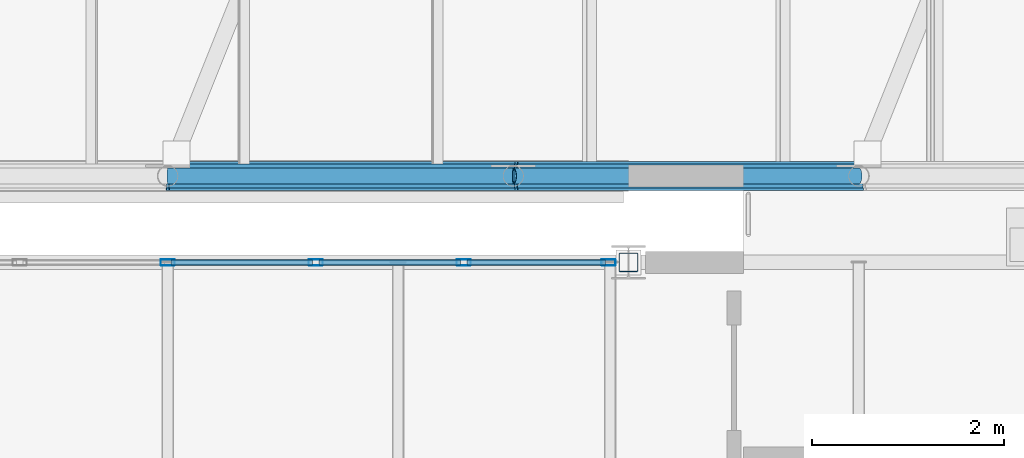
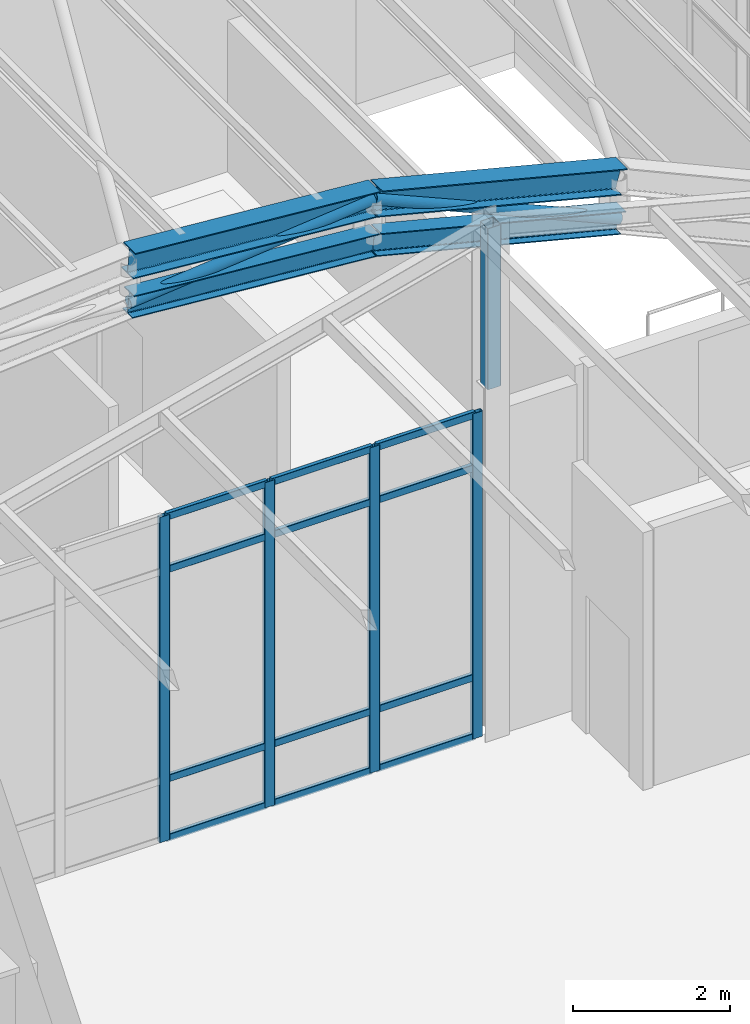
# One storey, part 20 of 121: 21 members, 2 beams, 1 element without a shape of its own.
"""IFC4 building model written with IfcOpenShell, lengths in metres."""

from ifc_helpers import new_model, si_unit, direction, frame, origin, origin_2d, place, context, subcontext, project, spatial, hollow_rectangle, hollow_circle, i_section, extrude, material, material_profile, profile_set, type_object, element, aggregate, save


model = new_model("IFC4")

# Units and contexts
model_context = context("Model", 3, precision=1e-05, world=origin(), true_north=direction((0.0, 1.0)))
body_context = subcontext(model_context, "Body", "Model", "MODEL_VIEW")
ifc_project = project(units=[si_unit("LENGTHUNIT", "METRE"), si_unit("AREAUNIT", "SQUARE_METRE"), si_unit("VOLUMEUNIT", "CUBIC_METRE"), si_unit("PLANEANGLEUNIT", "RADIAN"), si_unit("MASSUNIT", "GRAM", prefix="KILO")], contexts=[model_context])

# Site, building, storey
site_placement = place(None, origin())
site = spatial("IfcSite", under=ifc_project, at=site_placement, CompositionType="ELEMENT")
building_placement = place(site_placement, origin())
building = spatial("IfcBuilding", under=site, at=building_placement, Name="Canglan Escarpment Cableway Terminal", CompositionType="ELEMENT")
storey_placement = place(building_placement, frame((0.0, 0.0, 24.60009765625)))
storey = spatial("IfcBuildingStorey", under=building, at=storey_placement, Name="L05", CompositionType="ELEMENT", Elevation=24.60009765625)

# Beams
ifc_material_1 = material(Name="Steel Q355B", Category="steel")
ifc_material_profile_1 = material_profile(ifc_material_1, i_section(OverallWidth=0.300048828125, OverallDepth=0.389892578125, WebThickness=0.010009765625, FlangeThickness=0.01611328125, FilletRadius=0.02197265625, at=origin_2d()), Name="HM 390x300x10x16")
ifc_profile_set_1 = profile_set([ifc_material_profile_1], Name="Steel Q355B")
beam_type = type_object("IfcBeamType", Name="BM-ARCH-TOP-HM390", PredefinedType="BEAM", material=ifc_profile_set_1)
beam_1_placement = place(storey_placement, frame((152.0, 34.0, 8.449951171875), z_axis=(0.996622699984, 0.0, -0.082116952426), x_axis=(0.0, 1.0, 0.0)))
element("IfcBeam", 1, at=beam_1_placement, inside=storey, type_object=beam_type, Name="Vault ROOF TRUSS arch top chord AR-TC1", PredefinedType="BEAM", context=body_context, shape_type="SweptSolid", body=[
    extrude(i_section(OverallWidth=0.300048828125, OverallDepth=0.389892578125, WebThickness=0.010009765625, FlangeThickness=0.01611328125, FilletRadius=0.02197265625, at=origin_2d()), origin(), (0.0, 0.0, 1.0), 3.6123046875),
])
beam_2_placement = place(storey_placement, frame((155.60009765625, 34.0, 8.1533203125), z_axis=(0.969179969731, 0.0, -0.246353782743), x_axis=(0.0, 1.0, 0.0)))
element("IfcBeam", 2, at=beam_2_placement, inside=storey, type_object=beam_type, Name="Vault ROOF TRUSS arch top chord AR-TC1", PredefinedType="BEAM", context=body_context, shape_type="SweptSolid", body=[
    extrude(i_section(OverallWidth=0.300048828125, OverallDepth=0.389892578125, WebThickness=0.010009765625, FlangeThickness=0.01611328125, FilletRadius=0.02197265625, at=origin_2d()), origin(), (0.0, 0.0, 1.0), 3.71435546875),
])

# Curtain wall, members
ifc_material_2 = material(Name="Anodized bronze aluminium and Low-E double glazing", Category="aluminium")
curtain_wall_type = type_object("IfcCurtainWallType", Name="CW-BAY-9250x5050", PredefinedType="NOTDEFINED", material=ifc_material_2)
curtain_wall_placement = place(storey_placement, origin())
curtain_wall = element("IfcCurtainWall", 3, at=curtain_wall_placement, inside=storey, type_object=curtain_wall_type, Name="Classical bay-between-piers glazed curtain wall CW-40", PredefinedType="NOTDEFINED")
ifc_material_3 = material(Name="Thermally broken anodized aluminium 6063-T6", Category="aluminium")
ifc_material_profile_2 = material_profile(ifc_material_3, hollow_rectangle(XDim=0.06494140625, YDim=0.14990234375, WallThickness=0.00341796875, InnerFilletRadius=0.00341796875, OuterFilletRadius=0.007080078125, at=origin_2d()), Name="ALU-MULL 65x150x3.5")
ifc_profile_set_2 = profile_set([ifc_material_profile_2], Name="Thermally broken anodized aluminium 6063-T6")
member_type_1 = type_object("IfcMemberType", Name="CWM-02", PredefinedType="MULLION", material=ifc_profile_set_2)
member_1_placement = place(storey_placement, frame((156.592529296875, 33.10009765625, 0.0), z_axis=(0.0, 0.0, 1.0), x_axis=(0.0, -1.0, 0.0)))
member_1 = element("IfcMember", 4, at=member_1_placement, type_object=member_type_1, Name="CW-40 mullion 1", PredefinedType="MULLION", context=body_context, shape_type="SweptSolid", body=[
    extrude(hollow_rectangle(XDim=0.06494140625, YDim=0.14990234375, WallThickness=0.00341796875, InnerFilletRadius=0.00341796875, OuterFilletRadius=0.007080078125, at=origin_2d()), origin(), (0.0, 0.0, 1.0), 5.0498046875),
])
member_2_placement = place(storey_placement, frame((155.083251953125, 33.10009765625, 0.0), z_axis=(0.0, 0.0, 1.0), x_axis=(0.0, -1.0, 0.0)))
member_2 = element("IfcMember", 5, at=member_2_placement, type_object=member_type_1, Name="CW-40 mullion 2", PredefinedType="MULLION", context=body_context, shape_type="SweptSolid", body=[
    extrude(hollow_rectangle(XDim=0.06494140625, YDim=0.14990234375, WallThickness=0.00341796875, InnerFilletRadius=0.00341796875, OuterFilletRadius=0.007080078125, at=origin_2d()), origin(), (0.0, 0.0, 1.0), 5.0498046875),
])
member_3_placement = place(storey_placement, frame((153.541748046875, 33.10009765625, 0.0), z_axis=(0.0, 0.0, 1.0), x_axis=(0.0, -1.0, 0.0)))
member_3 = element("IfcMember", 6, at=member_3_placement, type_object=member_type_1, Name="CW-40 mullion 3", PredefinedType="MULLION", context=body_context, shape_type="SweptSolid", body=[
    extrude(hollow_rectangle(XDim=0.06494140625, YDim=0.14990234375, WallThickness=0.00341796875, InnerFilletRadius=0.00341796875, OuterFilletRadius=0.007080078125, at=origin_2d()), origin(), (0.0, 0.0, 1.0), 5.0498046875),
])
member_4_placement = place(storey_placement, frame((152.0, 33.10009765625, 0.0), z_axis=(0.0, 0.0, 1.0), x_axis=(0.0, -1.0, 0.0)))
member_4 = element("IfcMember", 7, at=member_4_placement, type_object=member_type_1, Name="CW-40 mullion 4", PredefinedType="MULLION", context=body_context, shape_type="SweptSolid", body=[
    extrude(hollow_rectangle(XDim=0.06494140625, YDim=0.14990234375, WallThickness=0.00341796875, InnerFilletRadius=0.00341796875, OuterFilletRadius=0.007080078125, at=origin_2d()), origin(), (0.0, 0.0, 1.0), 5.0498046875),
])
ifc_material_profile_3 = material_profile(ifc_material_3, hollow_rectangle(XDim=0.06005859375, YDim=0.110107421875, WallThickness=0.0029296875, InnerFilletRadius=0.0029296875, OuterFilletRadius=0.006103515625, at=origin_2d()), Name="ALU-TRAN 60x110x3")
ifc_profile_set_3 = profile_set([ifc_material_profile_3], Name="Thermally broken anodized aluminium 6063-T6")
member_type_2 = type_object("IfcMemberType", Name="CWT-02", PredefinedType="USERDEFINED", material=ifc_profile_set_3)
member_5_placement = place(storey_placement, frame((156.56005859375, 33.10009765625, 0.02978515625), z_axis=(-1.0, 0.0, 0.0), x_axis=(0.0, -1.0, 0.0)))
member_5 = element("IfcMember", 8, at=member_5_placement, type_object=member_type_2, Name="CW-40 transom 1.1", ObjectType="TRANSOM", PredefinedType="USERDEFINED", context=body_context, shape_type="SweptSolid", body=[
    extrude(hollow_rectangle(XDim=0.06005859375, YDim=0.110107421875, WallThickness=0.0029296875, InnerFilletRadius=0.0029296875, OuterFilletRadius=0.006103515625, at=origin_2d()), origin(), (0.0, 0.0, 1.0), 1.4443359375),
])
member_6_placement = place(storey_placement, frame((156.56005859375, 33.10009765625, 0.949951171875), z_axis=(-1.0, 0.0, 0.0), x_axis=(0.0, -1.0, 0.0)))
member_6 = element("IfcMember", 9, at=member_6_placement, type_object=member_type_2, Name="CW-40 transom 1.2", ObjectType="TRANSOM", PredefinedType="USERDEFINED", context=body_context, shape_type="SweptSolid", body=[
    extrude(hollow_rectangle(XDim=0.06005859375, YDim=0.110107421875, WallThickness=0.0029296875, InnerFilletRadius=0.0029296875, OuterFilletRadius=0.006103515625, at=origin_2d()), origin(), (0.0, 0.0, 1.0), 1.4443359375),
])
member_7_placement = place(storey_placement, frame((156.56005859375, 33.10009765625, 4.199951171875), z_axis=(-1.0, 0.0, 0.0), x_axis=(0.0, -1.0, 0.0)))
member_7 = element("IfcMember", 10, at=member_7_placement, type_object=member_type_2, Name="CW-40 transom 1.3", ObjectType="TRANSOM", PredefinedType="USERDEFINED", context=body_context, shape_type="SweptSolid", body=[
    extrude(hollow_rectangle(XDim=0.06005859375, YDim=0.110107421875, WallThickness=0.0029296875, InnerFilletRadius=0.0029296875, OuterFilletRadius=0.006103515625, at=origin_2d()), origin(), (0.0, 0.0, 1.0), 1.4443359375),
])
member_8_placement = place(storey_placement, frame((156.56005859375, 33.10009765625, 5.02001953125), z_axis=(-1.0, 0.0, 0.0), x_axis=(0.0, -1.0, 0.0)))
member_8 = element("IfcMember", 11, at=member_8_placement, type_object=member_type_2, Name="CW-40 transom 1.4", ObjectType="TRANSOM", PredefinedType="USERDEFINED", context=body_context, shape_type="SweptSolid", body=[
    extrude(hollow_rectangle(XDim=0.06005859375, YDim=0.110107421875, WallThickness=0.0029296875, InnerFilletRadius=0.0029296875, OuterFilletRadius=0.006103515625, at=origin_2d()), origin(), (0.0, 0.0, 1.0), 1.4443359375),
])
member_9_placement = place(storey_placement, frame((155.05078125, 33.10009765625, 0.02978515625), z_axis=(-1.0, 0.0, 0.0), x_axis=(0.0, -1.0, 0.0)))
member_9 = element("IfcMember", 12, at=member_9_placement, type_object=member_type_2, Name="CW-40 transom 2.1", ObjectType="TRANSOM", PredefinedType="USERDEFINED", context=body_context, shape_type="SweptSolid", body=[
    extrude(hollow_rectangle(XDim=0.06005859375, YDim=0.110107421875, WallThickness=0.0029296875, InnerFilletRadius=0.0029296875, OuterFilletRadius=0.006103515625, at=origin_2d()), origin(), (0.0, 0.0, 1.0), 1.4765625),
])
member_10_placement = place(storey_placement, frame((155.05078125, 33.10009765625, 0.949951171875), z_axis=(-1.0, 0.0, 0.0), x_axis=(0.0, -1.0, 0.0)))
member_10 = element("IfcMember", 13, at=member_10_placement, type_object=member_type_2, Name="CW-40 transom 2.2", ObjectType="TRANSOM", PredefinedType="USERDEFINED", context=body_context, shape_type="SweptSolid", body=[
    extrude(hollow_rectangle(XDim=0.06005859375, YDim=0.110107421875, WallThickness=0.0029296875, InnerFilletRadius=0.0029296875, OuterFilletRadius=0.006103515625, at=origin_2d()), origin(), (0.0, 0.0, 1.0), 1.4765625),
])
member_11_placement = place(storey_placement, frame((155.05078125, 33.10009765625, 4.199951171875), z_axis=(-1.0, 0.0, 0.0), x_axis=(0.0, -1.0, 0.0)))
member_11 = element("IfcMember", 14, at=member_11_placement, type_object=member_type_2, Name="CW-40 transom 2.3", ObjectType="TRANSOM", PredefinedType="USERDEFINED", context=body_context, shape_type="SweptSolid", body=[
    extrude(hollow_rectangle(XDim=0.06005859375, YDim=0.110107421875, WallThickness=0.0029296875, InnerFilletRadius=0.0029296875, OuterFilletRadius=0.006103515625, at=origin_2d()), origin(), (0.0, 0.0, 1.0), 1.4765625),
])
member_12_placement = place(storey_placement, frame((155.05078125, 33.10009765625, 5.02001953125), z_axis=(-1.0, 0.0, 0.0), x_axis=(0.0, -1.0, 0.0)))
member_12 = element("IfcMember", 15, at=member_12_placement, type_object=member_type_2, Name="CW-40 transom 2.4", ObjectType="TRANSOM", PredefinedType="USERDEFINED", context=body_context, shape_type="SweptSolid", body=[
    extrude(hollow_rectangle(XDim=0.06005859375, YDim=0.110107421875, WallThickness=0.0029296875, InnerFilletRadius=0.0029296875, OuterFilletRadius=0.006103515625, at=origin_2d()), origin(), (0.0, 0.0, 1.0), 1.4765625),
])
member_13_placement = place(storey_placement, frame((153.50927734375, 33.10009765625, 0.02978515625), z_axis=(-1.0, 0.0, 0.0), x_axis=(0.0, -1.0, 0.0)))
member_13 = element("IfcMember", 16, at=member_13_placement, type_object=member_type_2, Name="CW-40 transom 3.1", ObjectType="TRANSOM", PredefinedType="USERDEFINED", context=body_context, shape_type="SweptSolid", body=[
    extrude(hollow_rectangle(XDim=0.06005859375, YDim=0.110107421875, WallThickness=0.0029296875, InnerFilletRadius=0.0029296875, OuterFilletRadius=0.006103515625, at=origin_2d()), origin(), (0.0, 0.0, 1.0), 1.476806640625),
])
member_14_placement = place(storey_placement, frame((153.50927734375, 33.10009765625, 0.949951171875), z_axis=(-1.0, 0.0, 0.0), x_axis=(0.0, -1.0, 0.0)))
member_14 = element("IfcMember", 17, at=member_14_placement, type_object=member_type_2, Name="CW-40 transom 3.2", ObjectType="TRANSOM", PredefinedType="USERDEFINED", context=body_context, shape_type="SweptSolid", body=[
    extrude(hollow_rectangle(XDim=0.06005859375, YDim=0.110107421875, WallThickness=0.0029296875, InnerFilletRadius=0.0029296875, OuterFilletRadius=0.006103515625, at=origin_2d()), origin(), (0.0, 0.0, 1.0), 1.476806640625),
])
member_15_placement = place(storey_placement, frame((153.50927734375, 33.10009765625, 4.199951171875), z_axis=(-1.0, 0.0, 0.0), x_axis=(0.0, -1.0, 0.0)))
member_15 = element("IfcMember", 18, at=member_15_placement, type_object=member_type_2, Name="CW-40 transom 3.3", ObjectType="TRANSOM", PredefinedType="USERDEFINED", context=body_context, shape_type="SweptSolid", body=[
    extrude(hollow_rectangle(XDim=0.06005859375, YDim=0.110107421875, WallThickness=0.0029296875, InnerFilletRadius=0.0029296875, OuterFilletRadius=0.006103515625, at=origin_2d()), origin(), (0.0, 0.0, 1.0), 1.476806640625),
])
member_16_placement = place(storey_placement, frame((153.50927734375, 33.10009765625, 5.02001953125), z_axis=(-1.0, 0.0, 0.0), x_axis=(0.0, -1.0, 0.0)))
member_16 = element("IfcMember", 19, at=member_16_placement, type_object=member_type_2, Name="CW-40 transom 3.4", ObjectType="TRANSOM", PredefinedType="USERDEFINED", context=body_context, shape_type="SweptSolid", body=[
    extrude(hollow_rectangle(XDim=0.06005859375, YDim=0.110107421875, WallThickness=0.0029296875, InnerFilletRadius=0.0029296875, OuterFilletRadius=0.006103515625, at=origin_2d()), origin(), (0.0, 0.0, 1.0), 1.476806640625),
])
aggregate(curtain_wall, [member_1, member_2, member_3, member_4, member_5, member_6, member_7, member_8, member_9, member_10, member_11, member_12, member_13, member_14, member_15, member_16])

# Members
ifc_material_profile_4 = material_profile(ifc_material_1, i_section(OverallWidth=0.25, OverallDepth=0.340087890625, WebThickness=0.009033203125, FlangeThickness=0.013916015625, FilletRadius=0.02001953125, at=origin_2d()), Name="HM 340x250x9x14")
ifc_profile_set_4 = profile_set([ifc_material_profile_4], Name="Steel Q355B")
member_type_3 = type_object("IfcMemberType", Name="MB-ARCH-BOT-HM340", PredefinedType="CHORD", material=ifc_profile_set_4)
member_17_placement = place(storey_placement, frame((152.0, 34.0, 7.7998046875), z_axis=(0.996628228964, 0.0, -0.082049821644), x_axis=(0.0, 1.0, 0.0)))
element("IfcMember", 20, at=member_17_placement, inside=storey, type_object=member_type_3, Name="Vault ROOF TRUSS arch bottom chord AR-BC1", PredefinedType="CHORD", context=body_context, shape_type="SweptSolid", body=[
    extrude(i_section(OverallWidth=0.25, OverallDepth=0.340087890625, WebThickness=0.009033203125, FlangeThickness=0.013916015625, FilletRadius=0.02001953125, at=origin_2d()), origin(), (0.0, 0.0, 1.0), 3.6123046875),
])
member_18_placement = place(storey_placement, frame((155.60009765625, 34.0, 7.50341796875), z_axis=(0.969179969731, 0.0, -0.246353782743), x_axis=(0.0, 1.0, 0.0)))
element("IfcMember", 21, at=member_18_placement, inside=storey, type_object=member_type_3, Name="Vault ROOF TRUSS arch bottom chord AR-BC1", PredefinedType="CHORD", context=body_context, shape_type="SweptSolid", body=[
    extrude(i_section(OverallWidth=0.25, OverallDepth=0.340087890625, WebThickness=0.009033203125, FlangeThickness=0.013916015625, FilletRadius=0.02001953125, at=origin_2d()), origin(), (0.0, 0.0, 1.0), 3.71435546875),
])
ifc_material_profile_5 = material_profile(ifc_material_1, hollow_circle(Radius=0.084228515625, WallThickness=0.006103515625, at=origin_2d()), Name="CHS 168.3x6")
ifc_profile_set_5 = profile_set([ifc_material_profile_5], Name="Steel Q355B")
member_type_4 = type_object("IfcMemberType", Name="MB-ARCH-DIAG-CHS168", PredefinedType="BRACE", material=ifc_profile_set_5)
member_19_placement = place(storey_placement, frame((152.0, 34.0, 7.7998046875), z_axis=(0.995213349609, 0.0, 0.097726090481), x_axis=(0.0, 1.0, 0.0)))
element("IfcMember", 22, at=member_19_placement, inside=storey, type_object=member_type_4, Name="Vault ROOF TRUSS web diagonal AR-DG1", PredefinedType="BRACE", context=body_context, shape_type="SweptSolid", body=[
    extrude(hollow_circle(Radius=0.084228515625, WallThickness=0.006103515625, at=origin_2d()), origin(), (0.0, 0.0, 1.0), 3.617431640625),
])
member_20_placement = place(storey_placement, frame((155.60009765625, 34.0, 8.1533203125), z_axis=(0.917089831489, 0.0, -0.398680625286), x_axis=(0.0, 1.0, 0.0)))
element("IfcMember", 23, at=member_20_placement, inside=storey, type_object=member_type_4, Name="Vault ROOF TRUSS web diagonal AR-DG1", PredefinedType="BRACE", context=body_context, shape_type="SweptSolid", body=[
    extrude(hollow_circle(Radius=0.084228515625, WallThickness=0.006103515625, at=origin_2d()), origin(), (0.0, 0.0, 1.0), 3.92529296875),
])
ifc_material_profile_6 = material_profile(ifc_material_1, hollow_rectangle(XDim=0.199951171875, YDim=0.199951171875, WallThickness=0.008056640625, InnerFilletRadius=0.008056640625, OuterFilletRadius=0.01611328125, at=origin_2d()), Name="SHS 200x200x8")
ifc_profile_set_6 = profile_set([ifc_material_profile_6], Name="Steel Q355B")
member_type_5 = type_object("IfcMemberType", Name="MB-PRATT-WEB-SHS200", PredefinedType="BRACE", material=ifc_profile_set_6)
member_21_placement = place(storey_placement, frame((156.800048828125, 33.10009765625, 5.39990234375), z_axis=(0.0, 0.0, 1.0), x_axis=(1.0, 0.0, 0.0)))
element("IfcMember", 24, at=member_21_placement, inside=storey, type_object=member_type_5, Name="Pedimented pavilion ROOF TRUSS strut PT-WB1", PredefinedType="BRACE", context=body_context, shape_type="SweptSolid", body=[
    extrude(hollow_rectangle(XDim=0.199951171875, YDim=0.199951171875, WallThickness=0.008056640625, InnerFilletRadius=0.008056640625, OuterFilletRadius=0.01611328125, at=origin_2d()), origin(), (0.0, 0.0, 1.0), 2.5),
])

save(model, "model.ifc")
